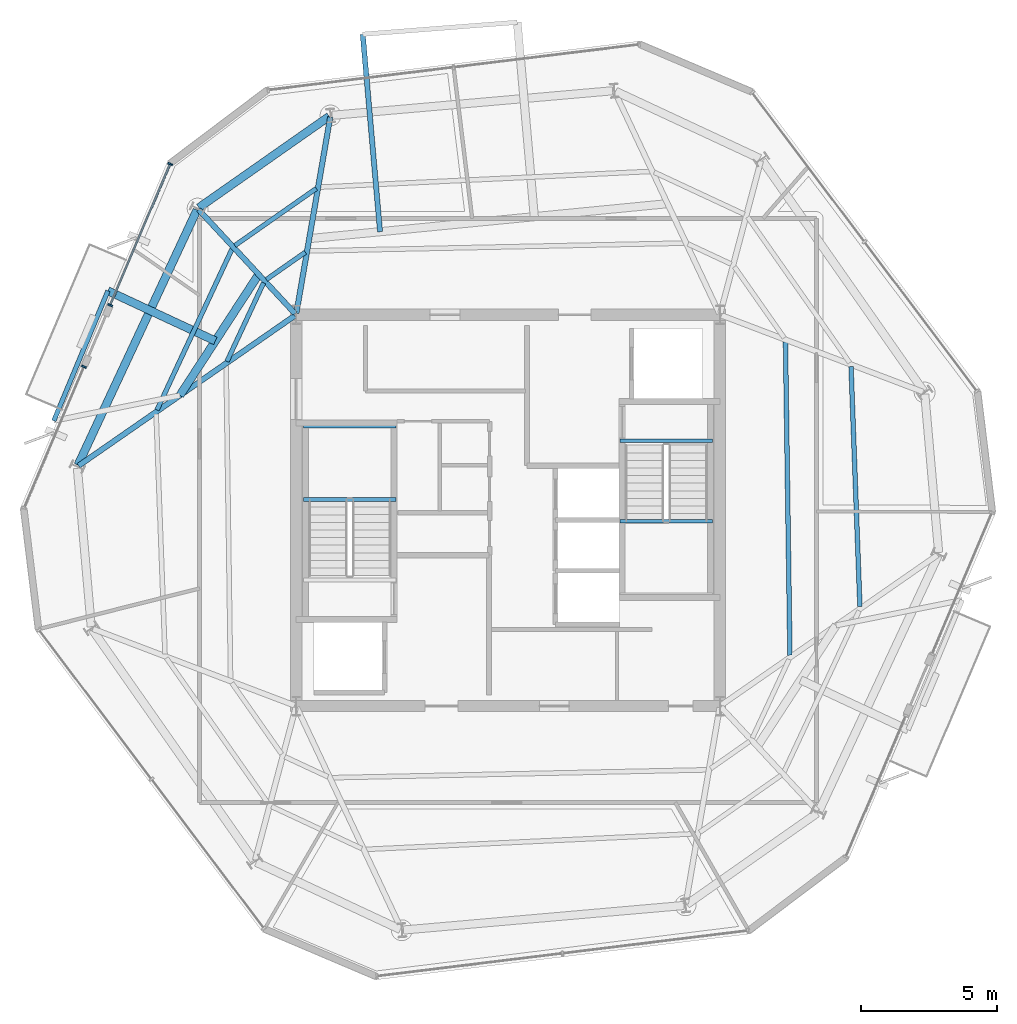
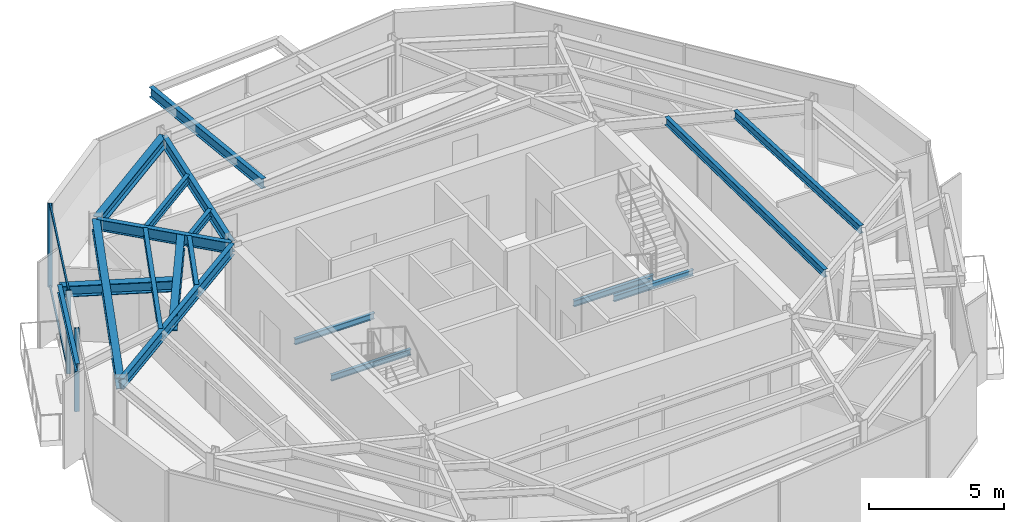
# One storey, part 4 of 11: 19 beams, 5 members, 2 elements without a shape of their own.
"""IFC4 building model written with IfcOpenShell, lengths in metres."""

from ifc_helpers import new_model, si_unit, direction, frame, origin, origin_2d, place, context, subcontext, project, spatial, rectangle, i_section, extrude, material, layer, layer_set, material_profile, profile_set, type_object, element, aggregate, save


model = new_model("IFC4")

# Units and contexts
model_context = context("Model", 3, precision=1e-05, world=origin(), true_north=direction((0.0, 1.0)))
body_context = subcontext(model_context, "Body", "Model", "MODEL_VIEW")
ifc_project = project(units=[si_unit("LENGTHUNIT", "METRE"), si_unit("AREAUNIT", "SQUARE_METRE"), si_unit("VOLUMEUNIT", "CUBIC_METRE"), si_unit("PLANEANGLEUNIT", "RADIAN"), si_unit("MASSUNIT", "GRAM", prefix="KILO")], contexts=[model_context])

# Site, building, storey
site_placement = place(None, origin())
site = spatial("IfcSite", under=ifc_project, at=site_placement, CompositionType="ELEMENT")
building_placement = place(site_placement, origin())
building = spatial("IfcBuilding", under=site, at=building_placement, Name="Kranzbogen Civic Tower", CompositionType="ELEMENT")
storey_placement = place(building_placement, frame((0.0, 0.0, 294.199951171875)))
storey = spatial("IfcBuildingStorey", under=building, at=storey_placement, Name="L71", CompositionType="ELEMENT", Elevation=294.199951171875)

# Beam
ifc_material_1 = material(Name="Steel S355", Category="steel")
ifc_material_profile_1 = material_profile(ifc_material_1, i_section(OverallWidth=0.18994140625, OverallDepth=0.449951171875, WebThickness=0.009521484375, FlangeThickness=0.0146484375, at=origin_2d()), Name="IPE 450")
ifc_profile_set_1 = profile_set([ifc_material_profile_1], Name="Steel S355")
beam_type_1 = type_object("IfcBeamType", Name="Braced Terrace Edge Beam IPE 450", PredefinedType="BEAM", material=ifc_profile_set_1)
beam_1_placement = place(storey_placement, frame((20.2900390625, 35.257080078125, 3.4951171875), z_axis=(-0.087295203994, 0.996182486977, 0.0), x_axis=(-0.996182486977, -0.087295203994, 0.0)))
element("IfcBeam", 1, at=beam_1_placement, inside=storey, type_object=beam_type_1, Name="L72 back-spanned terrace beam L72-ST-2", PredefinedType="BEAM", context=body_context, shape_type="SweptSolid", body=[
    extrude(i_section(OverallWidth=0.18994140625, OverallDepth=0.449951171875, WebThickness=0.009521484375, FlangeThickness=0.0146484375, at=origin_2d()), origin(), (0.0, 0.0, 1.0), 7.296630859375),
])

# Curtain wall, members
ifc_material_2 = material(Name="Pale Anodised Aluminium", Category="aluminium")
ifc_layer = layer(ifc_material_2, 0.219970703125, Name="Pale Anodised Aluminium")
ifc_layer_set = layer_set([ifc_layer], Name="Pale Anodised Aluminium")
curtain_wall_type = type_object("IfcCurtainWallType", Name="Zone 4 Stick Curtain Wall System CW-05", PredefinedType="USERDEFINED", material=ifc_layer_set)
curtain_wall_1_placement = place(storey_placement, origin())
curtain_wall_1 = element("IfcCurtainWall", 2, at=curtain_wall_1_placement, inside=storey, type_object=curtain_wall_type, Name="L71 curtain wall CW-L71-F2-S1", ObjectType="STICK CURTAIN WALL", PredefinedType="USERDEFINED")
ifc_material_profile_2 = material_profile(ifc_material_2, rectangle(XDim=0.06494140625, YDim=0.179931640625, at=origin_2d()), Name="ALU-M 65x180")
ifc_profile_set_2 = profile_set([ifc_material_profile_2], Name="Pale Anodised Aluminium")
member_type_1 = type_object("IfcMemberType", Name="Curtain Wall Mullion ALU-M 65x180", PredefinedType="MULLION", material=ifc_profile_set_2)
member_1_placement = place(storey_placement, frame((12.564208984375, 37.75048828125, 0.0), z_axis=(0.0, 0.0, 1.0), x_axis=(-0.390702820326, -0.920516869041, 0.0)))
member_1 = element("IfcMember", 3, at=member_1_placement, type_object=member_type_1, Name="CW-05 mullion 1", PredefinedType="MULLION", context=body_context, shape_type="SweptSolid", body=[
    extrude(rectangle(XDim=0.06494140625, YDim=0.179931640625, at=origin_2d()), origin(), (0.0, 0.0, 1.0), 3.780029296875),
])
member_2_placement = place(storey_placement, frame((10.357666015625, 32.551513671875, 0.0), z_axis=(0.0, 0.0, 1.0), x_axis=(-0.390702820326, -0.920516869041, 0.0)))
member_2 = element("IfcMember", 4, at=member_2_placement, type_object=member_type_1, Name="CW-05 mullion 2", PredefinedType="MULLION", context=body_context, shape_type="SweptSolid", body=[
    extrude(rectangle(XDim=0.06494140625, YDim=0.179931640625, at=origin_2d()), origin(), (0.0, 0.0, 1.0), 3.780029296875),
])

# Curtain wall, member
curtain_wall_2_placement = place(storey_placement, origin())
curtain_wall_2 = element("IfcCurtainWall", 5, at=curtain_wall_2_placement, inside=storey, type_object=curtain_wall_type, Name="L71 curtain wall CW-L71-F2-S2", ObjectType="STICK CURTAIN WALL", PredefinedType="USERDEFINED")
member_3_placement = place(storey_placement, frame((9.396240234375, 30.287353515625, 0.0), z_axis=(0.0, 0.0, 1.0), x_axis=(-0.390702820326, -0.920516869041, 0.0)))
member_3 = element("IfcMember", 6, at=member_3_placement, type_object=member_type_1, Name="CW-05 mullion 1", PredefinedType="MULLION", context=body_context, shape_type="SweptSolid", body=[
    extrude(rectangle(XDim=0.06494140625, YDim=0.179931640625, at=origin_2d()), origin(), (0.0, 0.0, 1.0), 3.780029296875),
])
aggregate(curtain_wall_2, [member_3])

# Member
ifc_material_profile_3 = material_profile(ifc_material_2, rectangle(XDim=0.06494140625, YDim=0.135009765625, at=origin_2d()), Name="ALU-T 65x135")
ifc_profile_set_3 = profile_set([ifc_material_profile_3], Name="Pale Anodised Aluminium")
member_type_2 = type_object("IfcMemberType", Name="Curtain Wall Transom ALU-T 65x135", PredefinedType="USERDEFINED", material=ifc_profile_set_3)
member_4_placement = place(storey_placement, frame((12.552490234375, 37.72265625, 0.030029296875), z_axis=(-0.390715913475, -0.920511311695, 0.0), x_axis=(0.920511311695, -0.390715913475, 0.0)))
member_4 = element("IfcMember", 7, at=member_4_placement, type_object=member_type_2, Name="CW-05 transom 1.1", ObjectType="TRANSOM", PredefinedType="USERDEFINED", context=body_context, shape_type="SweptSolid", body=[
    extrude(rectangle(XDim=0.06494140625, YDim=0.135009765625, at=origin_2d()), origin(), (0.0, 0.0, 1.0), 5.58740234375),
])

member_5_placement = place(storey_placement, frame((12.552490234375, 37.72265625, 3.75), z_axis=(-0.390715913475, -0.920511311695, 0.0), x_axis=(0.920511311695, -0.390715913475, 0.0)))
member_5 = element("IfcMember", 8, at=member_5_placement, type_object=member_type_2, Name="CW-05 transom 1.2", ObjectType="TRANSOM", PredefinedType="USERDEFINED", context=body_context, shape_type="SweptSolid", body=[
    extrude(rectangle(XDim=0.06494140625, YDim=0.135009765625, at=origin_2d()), origin(), (0.0, 0.0, 1.0), 5.58740234375),
])

aggregate(curtain_wall_1, [member_1, member_2, member_4, member_5])

# Beams
ifc_material_profile_4 = material_profile(ifc_material_1, i_section(OverallWidth=0.300048828125, OverallDepth=0.5, WebThickness=0.014404296875, FlangeThickness=0.028076171875, at=origin_2d()), Name="HEB 500")
ifc_profile_set_4 = profile_set([ifc_material_profile_4], Name="Steel S355")
beam_type_2 = type_object("IfcBeamType", Name="Perimeter Tube Spandrel Beam HEB 500", PredefinedType="SPANDREL", material=ifc_profile_set_4)
beam_2_placement = place(storey_placement, frame((18.41796875, 39.501953125, 3.530029296875), z_axis=(-0.819059436004, -0.57370867197, 0.0), x_axis=(0.57370867197, -0.819059436004, 0.0)))
element("IfcBeam", 9, at=beam_2_placement, inside=storey, type_object=beam_type_2, Name="L71 perimeter spandrel beam 10", PredefinedType="SPANDREL", context=body_context, shape_type="SweptSolid", body=[
    extrude(i_section(OverallWidth=0.300048828125, OverallDepth=0.5, WebThickness=0.014404296875, FlangeThickness=0.028076171875, at=origin_2d()), origin(), (0.0, 0.0, 1.0), 5.85302734375),
])
beam_3_placement = place(storey_placement, frame((13.550048828125, 36.055908203125, 3.530029296875), z_axis=(-0.422668780888, -0.906284227857, 0.0), x_axis=(0.906284227857, -0.422668780888, 0.0)))
element("IfcBeam", 10, at=beam_3_placement, inside=storey, type_object=beam_type_2, Name="L71 perimeter spandrel beam 11", PredefinedType="SPANDREL", context=body_context, shape_type="SweptSolid", body=[
    extrude(i_section(OverallWidth=0.300048828125, OverallDepth=0.5, WebThickness=0.014404296875, FlangeThickness=0.028076171875, at=origin_2d()), origin(), (0.0, 0.0, 1.0), 10.363037109375),
])
beam_4_placement = place(storey_placement, frame((14.22802734375, 31.237060546875, 3.5), z_axis=(-0.90633894901, 0.422551428241, 0.0), x_axis=(-0.422551428241, -0.90633894901, 0.0)))
element("IfcBeam", 11, at=beam_4_placement, inside=storey, type_object=beam_type_2, Name="L72 back-spanned terrace beam L72-TB2-1", PredefinedType="SPANDREL", context=body_context, shape_type="SweptSolid", body=[
    extrude(i_section(OverallWidth=0.300048828125, OverallDepth=0.5, WebThickness=0.014404296875, FlangeThickness=0.028076171875, at=origin_2d()), origin(), (0.0, 0.0, 1.0), 4.361572265625),
])
ifc_material_profile_5 = material_profile(ifc_material_1, i_section(OverallWidth=0.300048828125, OverallDepth=0.699951171875, WebThickness=0.01708984375, FlangeThickness=0.031982421875, at=origin_2d()), Name="HEB 700")
ifc_profile_set_5 = profile_set([ifc_material_profile_5], Name="Steel S355")
beam_type_3 = type_object("IfcBeamType", Name="Perimeter Tube Spandrel Beam HEB 700", PredefinedType="SPANDREL", material=ifc_profile_set_5)
beam_5_placement = place(storey_placement, frame((15.822021484375, 33.68603515625, 3.400146484375), z_axis=(-0.545440514923, -0.83814953599, 0.0), x_axis=(0.83814953599, -0.545440514923, 0.0)))
element("IfcBeam", 12, at=beam_5_placement, inside=storey, type_object=beam_type_3, Name="L72 balcony back-span header girder L72-TB2", PredefinedType="SPANDREL", context=body_context, shape_type="SweptSolid", body=[
    extrude(i_section(OverallWidth=0.300048828125, OverallDepth=0.699951171875, WebThickness=0.01708984375, FlangeThickness=0.031982421875, at=origin_2d()), origin(), (0.0, 0.0, 1.0), 5.31298828125),
])
ifc_material_profile_6 = material_profile(ifc_material_1, i_section(OverallWidth=0.199951171875, OverallDepth=0.5, WebThickness=0.01025390625, FlangeThickness=0.01611328125, at=origin_2d()), Name="IPE 500")
ifc_profile_set_6 = profile_set([ifc_material_profile_6], Name="Steel S355")
beam_type_4 = type_object("IfcBeamType", Name="Radial Tower Floor Girder IPE 500", PredefinedType="BEAM", material=ifc_profile_set_6)
beam_6_placement = place(storey_placement, frame((18.45703125, 39.47705078125, 3.530029296875), z_axis=(-0.170249558486, -0.985400978199, 0.0), x_axis=(0.985400978199, -0.170249558486, 0.0)))
element("IfcBeam", 13, at=beam_6_placement, inside=storey, type_object=beam_type_4, Name="L71 radial floor girder 10", PredefinedType="BEAM", context=body_context, shape_type="SweptSolid", body=[
    extrude(i_section(OverallWidth=0.199951171875, OverallDepth=0.5, WebThickness=0.01025390625, FlangeThickness=0.01611328125, at=origin_2d()), origin(), (0.0, 0.0, 1.0), 7.324951171875),
])
beam_7_placement = place(storey_placement, frame((13.615966796875, 36.06591796875, 3.530029296875), z_axis=(0.679827353702, -0.733372190064, 0.0), x_axis=(0.733372190064, 0.679827353702, 0.0)))
element("IfcBeam", 14, at=beam_7_placement, inside=storey, type_object=beam_type_4, Name="L71 radial floor girder 11", PredefinedType="BEAM", context=body_context, shape_type="SweptSolid", body=[
    extrude(i_section(OverallWidth=0.199951171875, OverallDepth=0.5, WebThickness=0.01025390625, FlangeThickness=0.01611328125, at=origin_2d()), origin(), (0.0, 0.0, 1.0), 5.211669921875),
])
beam_8_placement = place(storey_placement, frame((9.194091796875, 26.64404296875, 3.530029296875), z_axis=(0.821542812331, 0.570146829779, 0.0), x_axis=(-0.570146829779, 0.821542812331, 0.0)))
element("IfcBeam", 15, at=beam_8_placement, inside=storey, type_object=beam_type_4, Name="L71 radial floor girder 12", PredefinedType="BEAM", context=body_context, shape_type="SweptSolid", body=[
    extrude(i_section(OverallWidth=0.199951171875, OverallDepth=0.5, WebThickness=0.01025390625, FlangeThickness=0.01611328125, at=origin_2d()), origin(), (0.0, 0.0, 1.0), 9.68505859375),
])
ifc_material_profile_7 = material_profile(ifc_material_1, i_section(OverallWidth=0.169921875, OverallDepth=0.360107421875, WebThickness=0.008056640625, FlangeThickness=0.0126953125, at=origin_2d()), Name="IPE 360")
ifc_profile_set_7 = profile_set([ifc_material_profile_7], Name="Steel S355")
beam_type_5 = type_object("IfcBeamType", Name="Secondary Composite Floor Joist IPE 360", PredefinedType="JOIST", material=ifc_profile_set_7)
beam_9_placement = place(storey_placement, frame((37.951904296875, 21.4580078125, 3.60009765625), z_axis=(-0.036992246074, 0.999315552631, 0.0), x_axis=(-0.999315552631, -0.036992246074, 0.0)))
element("IfcBeam", 16, at=beam_9_placement, inside=storey, type_object=beam_type_5, Name="L71 secondary floor joist 1.06", PredefinedType="JOIST", context=body_context, shape_type="SweptSolid", body=[
    extrude(i_section(OverallWidth=0.169921875, OverallDepth=0.360107421875, WebThickness=0.008056640625, FlangeThickness=0.0126953125, at=origin_2d()), origin(), (0.0, 0.0, 1.0), 8.837158203125),
])
beam_10_placement = place(storey_placement, frame((35.3759765625, 19.6689453125, 3.60009765625), z_axis=(-0.014221385906, 0.999898870978, 0.0), x_axis=(-0.999898870978, -0.014221385906, 0.0)))
element("IfcBeam", 17, at=beam_10_placement, inside=storey, type_object=beam_type_5, Name="L71 secondary floor joist 2.06", PredefinedType="JOIST", context=body_context, shape_type="SweptSolid", body=[
    extrude(i_section(OverallWidth=0.169921875, OverallDepth=0.360107421875, WebThickness=0.008056640625, FlangeThickness=0.0126953125, at=origin_2d()), origin(), (0.0, 0.0, 1.0), 11.536376953125),
])
beam_11_placement = place(storey_placement, frame((17.945068359375, 36.84912109375, 3.60009765625), z_axis=(-0.819006333711, -0.573784476385, 0.0), x_axis=(0.573784476385, -0.819006333711, 0.0)))
element("IfcBeam", 18, at=beam_11_placement, inside=storey, type_object=beam_type_5, Name="L71 secondary floor joist 1.10", PredefinedType="JOIST", context=body_context, shape_type="SweptSolid", body=[
    extrude(i_section(OverallWidth=0.169921875, OverallDepth=0.360107421875, WebThickness=0.008056640625, FlangeThickness=0.0126953125, at=origin_2d()), origin(), (0.0, 0.0, 1.0), 3.661865234375),
])
beam_12_placement = place(storey_placement, frame((17.5400390625, 34.501953125, 3.60009765625), z_axis=(-0.818956727849, -0.573855276103, 0.0), x_axis=(0.573855276103, -0.818956727849, 0.0)))
element("IfcBeam", 19, at=beam_12_placement, inside=storey, type_object=beam_type_5, Name="L71 secondary floor joist 2.10", PredefinedType="JOIST", context=body_context, shape_type="SweptSolid", body=[
    extrude(i_section(OverallWidth=0.169921875, OverallDepth=0.360107421875, WebThickness=0.008056640625, FlangeThickness=0.0126953125, at=origin_2d()), origin(), (0.0, 0.0, 1.0), 1.751220703125),
])
beam_13_placement = place(storey_placement, frame((14.845947265625, 34.6298828125, 3.60009765625), z_axis=(-0.422542528713, -0.906343098075, 0.0), x_axis=(0.906343098075, -0.422542528713, 0.0)))
element("IfcBeam", 20, at=beam_13_placement, inside=storey, type_object=beam_type_5, Name="L71 secondary floor joist 1.11", PredefinedType="JOIST", context=body_context, shape_type="SweptSolid", body=[
    extrude(i_section(OverallWidth=0.169921875, OverallDepth=0.360107421875, WebThickness=0.008056640625, FlangeThickness=0.0126953125, at=origin_2d()), origin(), (0.0, 0.0, 1.0), 6.548095703125),
])
beam_14_placement = place(storey_placement, frame((16.006103515625, 33.37890625, 3.60009765625), z_axis=(-0.422651143991, -0.906292453065, 0.0), x_axis=(0.906292453065, -0.422651143991, 0.0)))
element("IfcBeam", 21, at=beam_14_placement, inside=storey, type_object=beam_type_5, Name="L71 secondary floor joist 2.11", PredefinedType="JOIST", context=body_context, shape_type="SweptSolid", body=[
    extrude(i_section(OverallWidth=0.169921875, OverallDepth=0.360107421875, WebThickness=0.008056640625, FlangeThickness=0.0126953125, at=origin_2d()), origin(), (0.0, 0.0, 1.0), 3.1943359375),
])
beam_15_placement = place(storey_placement, frame((10.27490234375, 33.080078125, 3.570068359375), z_axis=(-0.384525029064, -0.923114566034, 0.0), x_axis=(0.923114566034, -0.384525029064, 0.0)))
element("IfcBeam", 22, at=beam_15_placement, inside=storey, type_object=beam_type_5, Name="L72 terrace outer edge trimmer L72-TB2", PredefinedType="JOIST", context=body_context, shape_type="SweptSolid", body=[
    extrude(i_section(OverallWidth=0.169921875, OverallDepth=0.360107421875, WebThickness=0.008056640625, FlangeThickness=0.0126953125, at=origin_2d()), origin(), (0.0, 0.0, 1.0), 5.18017578125),
])
ifc_material_profile_8 = material_profile(ifc_material_1, i_section(OverallWidth=0.135009765625, OverallDepth=0.27001953125, WebThickness=0.006591796875, FlangeThickness=0.01025390625, at=origin_2d()), Name="IPE 270")
ifc_profile_set_8 = profile_set([ifc_material_profile_8], Name="Steel S355")
beam_type_6 = type_object("IfcBeamType", Name="Stair Landing Support Beam IPE 270", PredefinedType="JOIST", material=ifc_profile_set_8)
for number, where, z_axis, x_axis, name in (
    (23, (20.8798828125, 25.39990234375, 1.6650390625), (-1.0, 0.0, 0.0), (0.0, -1.0, 0.0), "L71 ST-T1 landing support beam 1.1"),
    (24, (20.8798828125, 28.10009765625, 1.6650390625), (-1.0, 0.0, 0.0), (0.0, -1.0, 0.0), "L71 ST-T1 landing support beam 1.2"),
    (25, (29.1201171875, 27.56005859375, -0.35498046875), (1.0, 0.0, 0.0), (0.0, 1.0, 0.0), "L71 ST-T2 stair floor header beam"),
    (26, (29.1201171875, 24.60009765625, 1.6650390625), (1.0, 0.0, 0.0), (0.0, 1.0, 0.0), "L71 ST-T2 landing support beam 1.1"),
):
    element("IfcBeam", number, at=place(storey_placement, frame(where, z_axis=z_axis, x_axis=x_axis)), inside=storey, type_object=beam_type_6, Name=name, PredefinedType="JOIST", context=body_context, shape_type="SweptSolid", body=[
        extrude(i_section(OverallWidth=0.135009765625, OverallDepth=0.27001953125, WebThickness=0.006591796875, FlangeThickness=0.01025390625, at=origin_2d()), origin(), (0.0, 0.0, 1.0), 3.409912109375),
    ])

save(model, "model.ifc")
